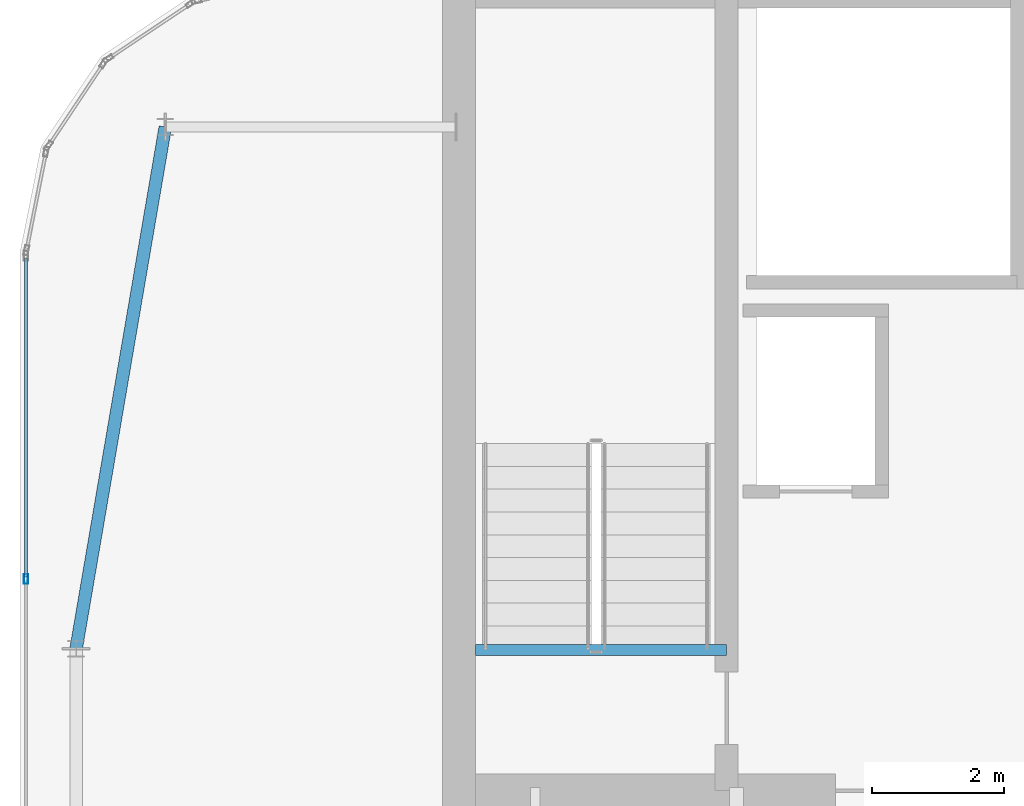
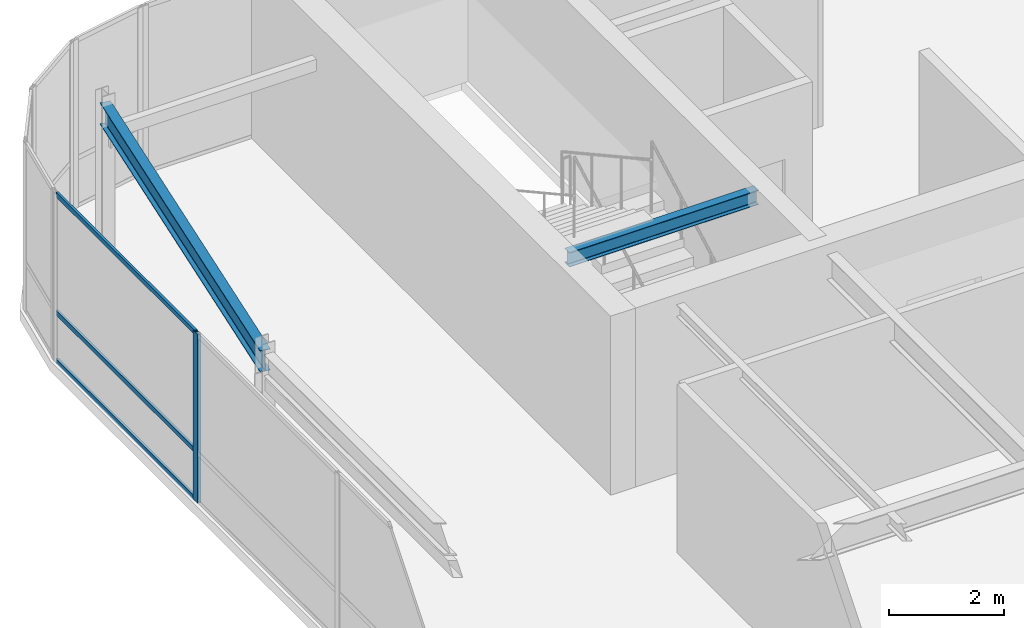
# One storey, part 19 of 36: 4 members, 2 beams, 1 element without a shape of its own.
"""IFC4 building model written with IfcOpenShell, lengths in metres."""

from ifc_helpers import new_model, si_unit, direction, frame, origin, origin_2d, place, context, subcontext, project, spatial, hollow_rectangle, i_section, extrude, source, transform, mapped, material, layer, layer_set, material_profile, profile_set, type_object, type_shapes, element, aggregate, save


model = new_model("IFC4")

# Units and contexts
model_context = context("Model", 3, precision=1e-05, world=origin(), true_north=direction((0.0, 1.0)))
body_context = subcontext(model_context, "Body", "Model", "MODEL_VIEW")
ifc_project = project(units=[si_unit("LENGTHUNIT", "METRE"), si_unit("AREAUNIT", "SQUARE_METRE"), si_unit("VOLUMEUNIT", "CUBIC_METRE"), si_unit("PLANEANGLEUNIT", "RADIAN"), si_unit("MASSUNIT", "GRAM", prefix="KILO")], contexts=[model_context])

# Site, building, storey
site_placement = place(None, origin())
site = spatial("IfcSite", under=ifc_project, at=site_placement, CompositionType="ELEMENT")
building_placement = place(site_placement, origin())
building = spatial("IfcBuilding", under=site, at=building_placement, Name="Tolvann Quenvar Hotel", CompositionType="ELEMENT")
storey_placement = place(building_placement, frame((0.0, 0.0, 302.35009765625)))
storey = spatial("IfcBuildingStorey", under=building, at=storey_placement, Name="L80", CompositionType="ELEMENT", Elevation=302.35009765625)

# Beams
ifc_material_1 = material(Name="Steel Grade 350", Category="steel")
ifc_material_profile_1 = material_profile(ifc_material_1, i_section(OverallWidth=0.166015625, OverallDepth=0.306884765625, WebThickness=0.006591796875, FlangeThickness=0.01171875, FilletRadius=0.011474609375, at=origin_2d()), Name="310UB46")
ifc_profile_set_1 = profile_set([ifc_material_profile_1], Name="Steel Grade 350")
beam_type_1 = type_object("IfcBeamType", Name="BM_JOIST_310UB46", PredefinedType="JOIST", material=ifc_profile_set_1)
shared_shape_1 = source(origin(), body_context, "Body", "SweptSolid", [
    extrude(i_section(OverallWidth=0.166015625, OverallDepth=0.306884765625, WebThickness=0.006591796875, FlangeThickness=0.01171875, FilletRadius=0.011474609375, at=origin_2d()), origin(), (0.0, 0.0, 1.0), 3.800048828125),
])
type_shapes(beam_type_1, [shared_shape_1])
beam_1_placement = place(storey_placement, frame((10.5, 33.97998046875, 3.426513671875), z_axis=(1.0, 0.0, 0.0), x_axis=(0.0, 1.0, 0.0)))
element("IfcBeam", 1, at=beam_1_placement, inside=storey, type_object=beam_type_1, Name="BM-HDR-STC1-L81", PredefinedType="JOIST", context=body_context, shape_type="MappedRepresentation", body=[
    mapped(shared_shape_1, transform((0.0, 0.0, 0.0), x_axis=(1.0, 0.0, 0.0), y_axis=(0.0, 1.0, 0.0), z_axis=(0.0, 0.0, 1.0), scale=1.0)),
])
ifc_material_profile_2 = material_profile(ifc_material_1, i_section(OverallWidth=0.19091796875, OverallDepth=0.4599609375, WebThickness=0.010009765625, FlangeThickness=0.01611328125, FilletRadius=0.011474609375, at=origin_2d()), Name="460UB82")
ifc_profile_set_2 = profile_set([ifc_material_profile_2], Name="Steel Grade 350")
beam_type_2 = type_object("IfcBeamType", Name="BM_SPAND_460UB82", PredefinedType="SPANDREL", material=ifc_profile_set_2)
shared_shape_2 = source(origin(), body_context, "Body", "SweptSolid", [
    extrude(i_section(OverallWidth=0.19091796875, OverallDepth=0.4599609375, WebThickness=0.010009765625, FlangeThickness=0.01611328125, FilletRadius=0.011474609375, at=origin_2d()), origin(), (0.0, 0.0, 1.0), 8.014404296875),
])
type_shapes(beam_type_2, [shared_shape_2])
beam_2_placement = place(storey_placement, frame((4.449951171875, 34.0, 3.349853515625), z_axis=(0.168458176532, 0.985708802213, 0.0), x_axis=(-0.985708802213, 0.168458176532, 0.0)))
element("IfcBeam", 2, at=beam_2_placement, inside=storey, type_object=beam_type_2, Name="BM-L80-FLK-W2", PredefinedType="SPANDREL", context=body_context, shape_type="MappedRepresentation", body=[
    mapped(shared_shape_2, transform((0.0, 0.0, 0.0), x_axis=(1.0, 0.0, 0.0), y_axis=(0.0, 1.0, 0.0), z_axis=(0.0, 0.0, 1.0), scale=1.0)),
])

# Curtain wall, members
ifc_material_2 = material(Name="Thermally broken anodised architectural aluminium 6063-T6 and laminated low-E glass", Category="aluminium")
ifc_layer = layer(ifc_material_2, 0.179931640625)
ifc_layer_set = layer_set([ifc_layer], Name="Thermally broken anodised architectural aluminium 6063-T6 and laminated low-E glass")
curtain_wall_type = type_object("IfcCurtainWallType", Name="CW_SYS_LANT_06", PredefinedType="USERDEFINED", material=ifc_layer_set)
curtain_wall_placement = place(storey_placement, origin())
curtain_wall = element("IfcCurtainWall", 3, at=curtain_wall_placement, inside=storey, type_object=curtain_wall_type, Name="Curtain Wall CW-LANT-06 (CWR-L80-E19)", ObjectType="UNITISED CURTAIN WALL", PredefinedType="USERDEFINED")
ifc_material_3 = material(Name="Anodised architectural aluminium 6063-T6 framing", Category="aluminium")
ifc_material_profile_3 = material_profile(ifc_material_3, hollow_rectangle(XDim=0.050048828125, YDim=0.10009765625, WallThickness=0.0029296875, at=origin_2d()), Name="100x50x3RHS")
ifc_profile_set_3 = profile_set([ifc_material_profile_3], Name="Anodised architectural aluminium 6063-T6 framing")
member_type_1 = type_object("IfcMemberType", Name="CW_TRAN_100x50", PredefinedType="USERDEFINED", material=ifc_profile_set_3)
shared_shape_3 = source(origin(), body_context, "Body", "SweptSolid", [
    extrude(hollow_rectangle(XDim=0.050048828125, YDim=0.10009765625, WallThickness=0.0029296875, at=origin_2d()), origin(), (0.0, 0.0, 1.0), 4.830078125),
])
type_shapes(member_type_1, [shared_shape_3])
member_1_placement = place(storey_placement, frame((3.68994140625, 39.917724609375, 0.02490234375), z_axis=(0.0, -1.0, 0.0), x_axis=(1.0, 0.0, 0.0)))
member_1 = element("IfcMember", 4, at=member_1_placement, type_object=member_type_1, Name="CW-LANT-06 transom 1.1", ObjectType="TRANSOM", PredefinedType="USERDEFINED", context=body_context, shape_type="MappedRepresentation", body=[
    mapped(shared_shape_3, transform((0.0, 0.0, 0.0), x_axis=(1.0, 0.0, 0.0), y_axis=(0.0, 1.0, 0.0), z_axis=(0.0, 0.0, 1.0), scale=1.0)),
])
member_2_placement = place(storey_placement, frame((3.68994140625, 39.917724609375, 1.0498046875), z_axis=(0.0, -1.0, 0.0), x_axis=(1.0, 0.0, 0.0)))
member_2 = element("IfcMember", 5, at=member_2_placement, type_object=member_type_1, Name="CW-LANT-06 transom 1.2", ObjectType="TRANSOM", PredefinedType="USERDEFINED", context=body_context, shape_type="MappedRepresentation", body=[
    mapped(shared_shape_3, transform((0.0, 0.0, 0.0), x_axis=(1.0, 0.0, 0.0), y_axis=(0.0, 1.0, 0.0), z_axis=(0.0, 0.0, 1.0), scale=1.0)),
])
member_3_placement = place(storey_placement, frame((3.68994140625, 39.917724609375, 3.554931640625), z_axis=(0.0, -1.0, 0.0), x_axis=(1.0, 0.0, 0.0)))
member_3 = element("IfcMember", 6, at=member_3_placement, type_object=member_type_1, Name="CW-LANT-06 transom 1.3", ObjectType="TRANSOM", PredefinedType="USERDEFINED", context=body_context, shape_type="MappedRepresentation", body=[
    mapped(shared_shape_3, transform((0.0, 0.0, 0.0), x_axis=(1.0, 0.0, 0.0), y_axis=(0.0, 1.0, 0.0), z_axis=(0.0, 0.0, 1.0), scale=1.0)),
])
ifc_material_profile_4 = material_profile(ifc_material_3, hollow_rectangle(XDim=0.06494140625, YDim=0.14990234375, WallThickness=0.00390625, at=origin_2d()), Name="150x65x4RHS")
ifc_profile_set_4 = profile_set([ifc_material_profile_4], Name="Anodised architectural aluminium 6063-T6 framing")
member_type_2 = type_object("IfcMemberType", Name="CW_MULL_150x65", PredefinedType="MULLION", material=ifc_profile_set_4)
shared_shape_4 = source(origin(), body_context, "Body", "SweptSolid", [
    extrude(hollow_rectangle(XDim=0.06494140625, YDim=0.14990234375, WallThickness=0.00390625, at=origin_2d()), origin(), (0.0, 0.0, 1.0), 3.579833984375),
])
type_shapes(member_type_2, [shared_shape_4])
member_4_placement = place(storey_placement, frame((3.68994140625, 35.05517578125, 0.0), z_axis=(0.0, 0.0, 1.0), x_axis=(1.0, 0.0, 0.0)))
member_4 = element("IfcMember", 7, at=member_4_placement, type_object=member_type_2, Name="CW-LANT-06 mullion 2", PredefinedType="MULLION", context=body_context, shape_type="MappedRepresentation", body=[
    mapped(shared_shape_4, transform((0.0, 0.0, 0.0), x_axis=(1.0, 0.0, 0.0), y_axis=(0.0, 1.0, 0.0), z_axis=(0.0, 0.0, 1.0), scale=1.0)),
])
aggregate(curtain_wall, [member_4, member_1, member_2, member_3])

save(model, "model.ifc")
